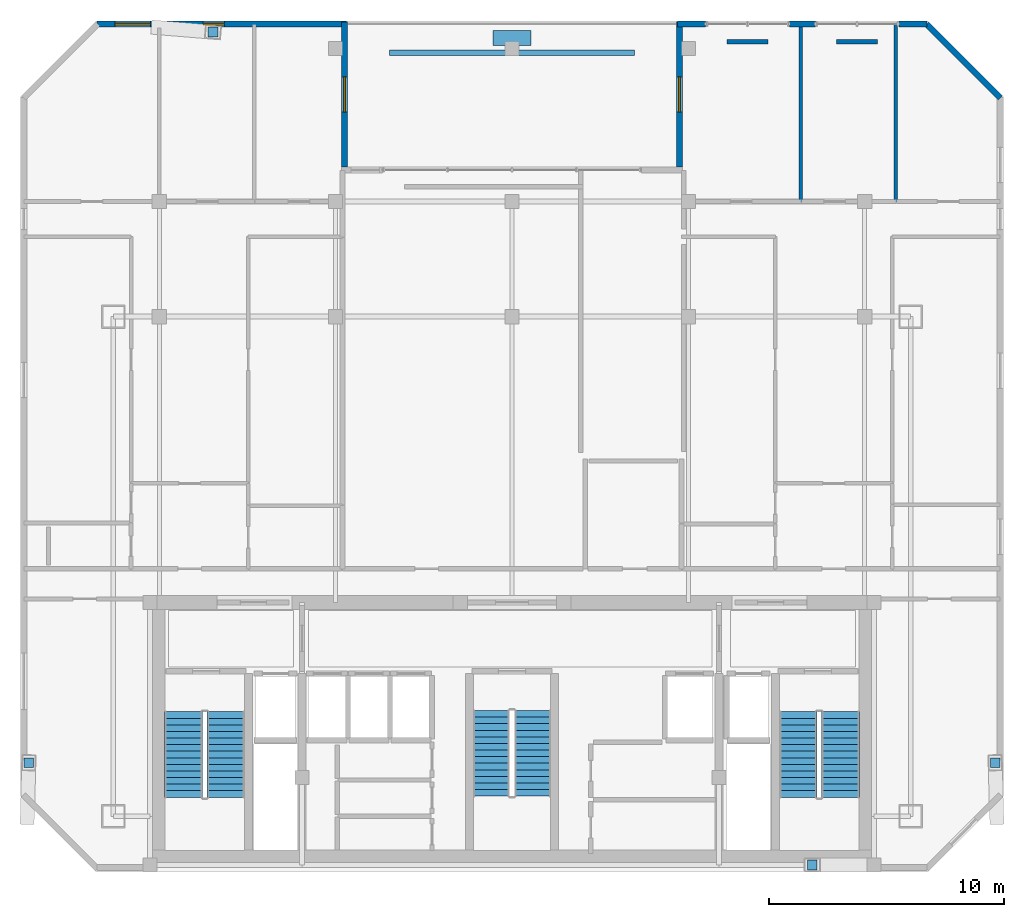
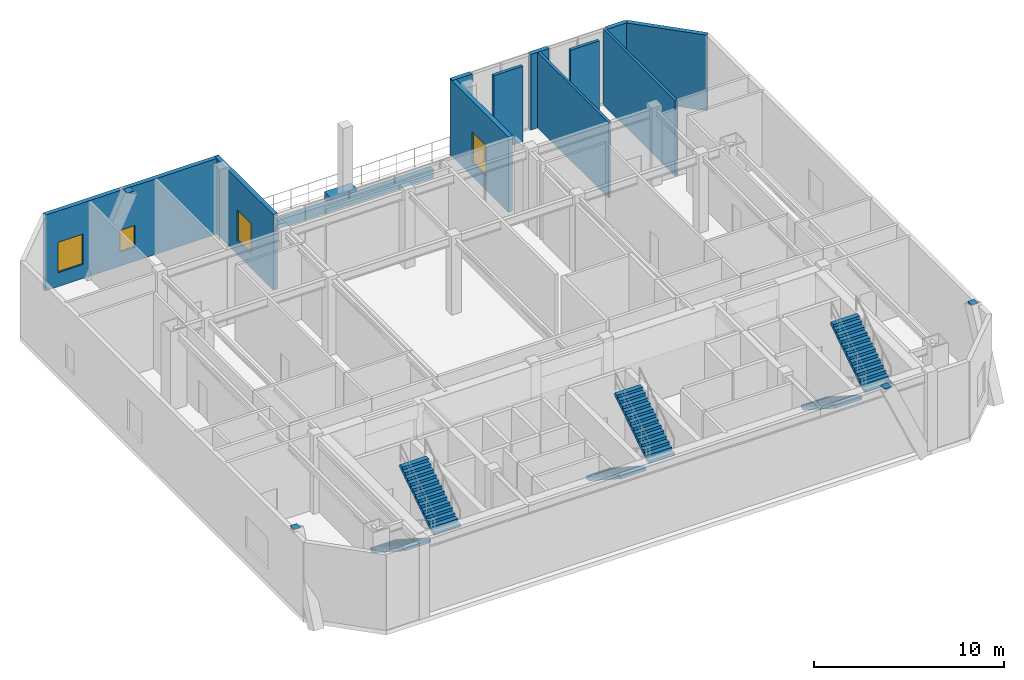
# One storey, part 11 of 12: 12 walls, 6 stair flights, 5 discrete accessories, 4 windows, 4 openings, 3 elements without a shape of their own.
"""IFC4 building model written with IfcOpenShell, lengths in metres."""

from ifc_helpers import new_model, si_unit, direction, frame, frame_2d, origin, origin_2d, place, context, subcontext, project, spatial, polyline, rectangle, outline, extrude, material, layer, layer_set, type_object, element, fill, aggregate, save


model = new_model("IFC4")

# Units and contexts
model_context = context("Model", 3, precision=1e-05, world=origin(), true_north=direction((0.0, 1.0)))
body_context = subcontext(model_context, "Body", "Model", "MODEL_VIEW")
ifc_project = project(units=[si_unit("LENGTHUNIT", "METRE"), si_unit("AREAUNIT", "SQUARE_METRE"), si_unit("VOLUMEUNIT", "CUBIC_METRE"), si_unit("PLANEANGLEUNIT", "RADIAN"), si_unit("MASSUNIT", "GRAM", prefix="KILO")], contexts=[model_context])

# Site, building, storey
site_placement = place(None, origin())
site = spatial("IfcSite", under=ifc_project, at=site_placement, CompositionType="ELEMENT")
building_placement = place(site_placement, origin())
building = spatial("IfcBuilding", under=site, at=building_placement, Name="Ventersveld Concourse Tower", CompositionType="ELEMENT")
storey_placement = place(building_placement, frame((0.0, 0.0, 251.699951171875)))
storey = spatial("IfcBuildingStorey", under=building, at=storey_placement, Name="L62", CompositionType="ELEMENT", Elevation=251.699951171875)

# Walls
ifc_material_1 = material(Name="Fire-rated autoclaved aerated masonry blockwork", Category="masonry")
ifc_layer_1 = layer(ifc_material_1, 0.179931640625)
ifc_layer_set_1 = layer_set([ifc_layer_1], Name="Fire-rated autoclaved aerated masonry blockwork")
wall_type_1 = type_object("IfcWallType", Name="WL-CORR-180", PredefinedType="PARTITIONING", material=ifc_layer_set_1)
for number, where, z_axis, x_axis, name in (
    (1, (37.89306640625, 35.2919921875, 0.0), (0.0, 0.0, 1.0), (1.0, 0.0, 0.0), "L62 Room Enclosure Wall SP-L62-62CE-BR1"),
    (2, (42.55029296875, 35.2919921875, 0.0), (0.0, 0.0, 1.0), (1.0, 0.0, 0.0), "L62 Room Enclosure Wall SP-L62-62CE-BR2"),
):
    element("IfcWall", number, at=place(storey_placement, frame(where, z_axis=z_axis, x_axis=x_axis)), inside=storey, type_object=wall_type_1, Name=name, PredefinedType="PARTITIONING", context=body_context, shape_type="SweptSolid", body=[
        extrude(rectangle(XDim=1.751220703125, YDim=0.179931640625, at=frame_2d((0.87548828125, 0.0))), origin(), (0.0, 0.0, 1.0), 4.85009765625),
    ])
ifc_material_2 = material(Name="Autoclaved aerated masonry blockwork", Category="masonry")
ifc_layer_2 = layer(ifc_material_2, 0.14990234375)
ifc_layer_set_2 = layer_set([ifc_layer_2], Name="Autoclaved aerated masonry blockwork")
wall_type_2 = type_object("IfcWallType", Name="WL-INT-150", PredefinedType="PARTITIONING", material=ifc_layer_set_2)
wall_1_placement = place(storey_placement, frame((41.0302734375, 28.4951171875, 0.0), z_axis=(0.0, 0.0, 1.0), x_axis=(0.0, 1.0, 0.0)))
element("IfcWall", 3, at=wall_1_placement, inside=storey, type_object=wall_type_2, Name="L62 Interior Partition SP-L62-62CE-BR1-SP-L62-62CE-BR2", PredefinedType="PARTITIONING", context=body_context, shape_type="SweptSolid", body=[
    extrude(rectangle(XDim=7.52734375, YDim=0.14990234375, at=frame_2d((3.763671875, 0.0))), origin(), (0.0, 0.0, 1.0), 4.85009765625),
])
wall_2_placement = place(storey_placement, frame((45.071044921875, 28.4951171875, 0.0), z_axis=(0.0, 0.0, 1.0), x_axis=(0.0, 1.0, 0.0)))
element("IfcWall", 4, at=wall_2_placement, inside=storey, type_object=wall_type_2, Name="L62 Interior Partition SP-L62-62CE-BR2-SP-L62-62CE-BR3", PredefinedType="PARTITIONING", context=body_context, shape_type="SweptSolid", body=[
    extrude(rectangle(XDim=7.552978515625, YDim=0.14990234375, at=frame_2d((3.7763671875, 0.0))), origin(), (0.0, 0.0, 1.0), 4.85009765625),
])
ifc_material_3 = material(Name="Precast concrete C45/55", Category="concrete")
ifc_layer_3 = layer(ifc_material_3, 0.239990234375)
ifc_layer_set_3 = layer_set([ifc_layer_3], Name="Precast concrete C45/55")
wall_type_3 = type_object("IfcWallType", Name="WL-KERB-240", PredefinedType="PARAPET", material=ifc_layer_set_3)
wall_3_placement = place(storey_placement, frame((23.550048828125, 34.822021484375, 0.0), z_axis=(0.0, 0.0, 1.0), x_axis=(1.0, 0.0, 0.0)))
element("IfcWall", 5, at=wall_3_placement, inside=storey, type_object=wall_type_3, Name="L62 Landscaped Terrace Planter Kerb SKYGARDEN", PredefinedType="PARAPET", context=body_context, shape_type="SweptSolid", body=[
    extrude(rectangle(XDim=10.39990234375, YDim=0.239990234375, at=frame_2d((5.199951171875, 0.0))), origin(), (0.0, 0.0, 1.0), 0.550048828125),
])
ifc_layer_4 = layer(ifc_material_3, 0.260009765625)
ifc_layer_set_4 = layer_set([ifc_layer_4], Name="Precast concrete C45/55")
wall_type_4 = type_object("IfcWallType", Name="WL-PREC-260", PredefinedType="SOLIDWALL", material=ifc_layer_set_4)
wall_4_placement = place(storey_placement, frame((49.5244140625, 32.908203125, 0.0), z_axis=(0.0, 0.0, 1.0), x_axis=(-0.707106781187, 0.707106781187, 0.0)))
element("IfcWall", 6, at=wall_4_placement, inside=storey, type_object=wall_type_4, Name="L62 Highveld Precast Facade Wall E04", PredefinedType="SOLIDWALL", context=body_context, shape_type="SweptSolid", body=[
    extrude(rectangle(XDim=4.445556640625, YDim=0.260009765625, at=frame_2d((2.22265625, 0.0))), origin(), (0.0, 0.0, 1.0), 4.85009765625),
])
wall_5_placement = place(storey_placement, frame((46.404541015625, 36.0419921875, 0.0), z_axis=(0.0, 0.0, 1.0), x_axis=(-1.0, 0.0, 0.0)))
element("IfcWall", 7, at=wall_5_placement, inside=storey, type_object=wall_type_4, Name="L62 Sky Lobby Outer Pier", PredefinedType="SOLIDWALL", context=body_context, shape_type="SweptSolid", body=[
    extrude(rectangle(XDim=1.199951171875, YDim=0.260009765625, at=frame_2d((0.60009765625, 0.0))), origin(), (0.0, 0.0, 1.0), 4.85009765625),
])
wall_6_placement = place(storey_placement, frame((41.647216796875, 36.0419921875, 0.0), z_axis=(0.0, 0.0, 1.0), x_axis=(-1.0, 0.0, 0.0)))
element("IfcWall", 8, at=wall_6_placement, inside=storey, type_object=wall_type_4, Name="L62 Sky Lobby Mullion Pier", PredefinedType="SOLIDWALL", context=body_context, shape_type="SweptSolid", body=[
    extrude(rectangle(XDim=1.099853515625, YDim=0.260009765625, at=frame_2d((0.5498046875, 0.0))), origin(), (0.0, 0.0, 1.0), 4.85009765625),
])
wall_7_placement = place(storey_placement, frame((36.989990234375, 36.0419921875, 0.0), z_axis=(0.0, 0.0, 1.0), x_axis=(-1.0, 0.0, 0.0)))
element("IfcWall", 9, at=wall_7_placement, inside=storey, type_object=wall_type_4, Name="L62 Sky Lobby Inner Pier", PredefinedType="SOLIDWALL", context=body_context, shape_type="SweptSolid", body=[
    extrude(rectangle(XDim=1.199951171875, YDim=0.260009765625, at=frame_2d((0.60009765625, 0.0))), origin(), (0.0, 0.0, 1.0), 4.85009765625),
])

# Wall, opening, window
wall_8_placement = place(storey_placement, frame((35.8798828125, 36.1318359375, 0.0), z_axis=(0.0, 0.0, 1.0), x_axis=(0.0, -1.0, 0.0)))
wall_8 = element("IfcWall", 10, at=wall_8_placement, inside=storey, type_object=wall_type_4, Name="L62 Highveld Precast Facade Wall E06", PredefinedType="SOLIDWALL", context=body_context, shape_type="SweptSolid", body=[
    extrude(rectangle(XDim=6.159912109375, YDim=0.260009765625, at=frame_2d((3.080078125, 0.0))), origin(), (0.0, 0.0, 1.0), 4.85009765625),
])
opening_1_placement = place(wall_8_placement, frame((2.330078125, 0.0, 0.89990234375)))
opening_1 = element("IfcOpeningElement", 11, at=opening_1_placement, cuts=wall_8, Name="Opening W1", PredefinedType="OPENING", context=body_context, shape_type="SweptSolid", body=[
    extrude(rectangle(XDim=1.5, YDim=1.949951171875, at=frame_2d((0.75, 0.97509765625))), frame((0.0, 0.14013671875, 0.0), z_axis=(0.0, -1.0, 0.0), x_axis=(1.0, 0.0, 0.0)), (0.0, 0.0, 1.0), 0.280029296875),
])
ifc_material_4 = material(Name="Tempered acoustic Low-E IGU", Category="glass")
window_type_1 = type_object("IfcWindowType", Name="WIN-150x210", PartitioningType="SINGLE_PANEL", PredefinedType="WINDOW", material=ifc_material_4)
window_1_placement = place(opening_1_placement, origin())
window_1 = element("IfcWindow", 12, at=window_1_placement, inside=storey, type_object=window_type_1, Name="L62 Punched Low-E Window W-0889", OverallHeight=1.949951171875, OverallWidth=1.5, PartitioningType="SINGLE_PANEL", PredefinedType="WINDOW", context=body_context, shape_type="SweptSolid", body=[
    extrude(rectangle(XDim=1.5, YDim=1.949951171875, at=frame_2d((0.75, 0.97509765625))), frame((0.0, 0.030029296875, 0.0), z_axis=(0.0, -1.0, 0.0), x_axis=(1.0, 0.0, 0.0)), (0.0, 0.0, 1.0), 0.06005859375),
])
fill(opening_1, window_1)

wall_9_placement = place(storey_placement, frame((21.6201171875, 29.971923828125, 0.0), z_axis=(0.0, 0.0, 1.0), x_axis=(0.0, 1.0, 0.0)))
wall_9 = element("IfcWall", 13, at=wall_9_placement, inside=storey, type_object=wall_type_4, Name="L62 Highveld Precast Facade Wall E08", PredefinedType="SOLIDWALL", context=body_context, shape_type="SweptSolid", body=[
    extrude(rectangle(XDim=6.159912109375, YDim=0.260009765625, at=frame_2d((3.080078125, 0.0))), origin(), (0.0, 0.0, 1.0), 4.85009765625),
])
opening_2_placement = place(wall_9_placement, frame((2.330078125, 0.0, 0.89990234375)))
opening_2 = element("IfcOpeningElement", 14, at=opening_2_placement, cuts=wall_9, Name="Opening W1", PredefinedType="OPENING", context=body_context, shape_type="SweptSolid", body=[
    extrude(rectangle(XDim=1.5, YDim=1.949951171875, at=frame_2d((0.75, 0.97509765625))), frame((0.0, 0.14013671875, 0.0), z_axis=(0.0, -1.0, 0.0), x_axis=(1.0, 0.0, 0.0)), (0.0, 0.0, 1.0), 0.280029296875),
])
window_2_placement = place(opening_2_placement, origin())
window_2 = element("IfcWindow", 15, at=window_2_placement, inside=storey, type_object=window_type_1, Name="L62 Punched Low-E Window W-0885", OverallHeight=1.949951171875, OverallWidth=1.5, PartitioningType="SINGLE_PANEL", PredefinedType="WINDOW", context=body_context, shape_type="SweptSolid", body=[
    extrude(rectangle(XDim=1.5, YDim=1.949951171875, at=frame_2d((0.75, 0.97509765625))), frame((0.0, 0.030029296875, 0.0), z_axis=(0.0, -1.0, 0.0), x_axis=(1.0, 0.0, 0.0)), (0.0, 0.0, 1.0), 0.06005859375),
])
fill(opening_2, window_2)

# Wall, openings, windows
wall_10_placement = place(storey_placement, frame((21.7099609375, 36.0419921875, 0.0), z_axis=(0.0, 0.0, 1.0), x_axis=(-1.0, 0.0, 0.0)))
wall_10 = element("IfcWall", 16, at=wall_10_placement, inside=storey, type_object=wall_type_4, Name="L62 Highveld Precast Facade Wall E09", PredefinedType="SOLIDWALL", context=body_context, shape_type="SweptSolid", body=[
    extrude(rectangle(XDim=10.614501953125, YDim=0.260009765625, at=frame_2d((5.30712890625, 0.0))), origin(), (0.0, 0.0, 1.0), 4.85009765625),
])
opening_3_placement = place(wall_10_placement, frame((8.344482421875, 0.0, 0.89990234375)))
opening_3 = element("IfcOpeningElement", 17, at=opening_3_placement, cuts=wall_10, Name="Opening W1", PredefinedType="OPENING", context=body_context, shape_type="SweptSolid", body=[
    extrude(rectangle(XDim=1.5, YDim=1.949951171875, at=frame_2d((0.75, 0.97509765625))), frame((0.0, 0.14013671875, 0.0), z_axis=(0.0, -1.0, 0.0), x_axis=(1.0, 0.0, 0.0)), (0.0, 0.0, 1.0), 0.280029296875),
])
opening_4_placement = place(wall_10_placement, frame((5.1943359375, 0.0, 0.89990234375)))
opening_4 = element("IfcOpeningElement", 18, at=opening_4_placement, cuts=wall_10, Name="Opening W8", PredefinedType="OPENING", context=body_context, shape_type="SweptSolid", body=[
    extrude(rectangle(XDim=0.89990234375, YDim=1.39990234375, at=frame_2d((0.449951171875, 0.699951171875))), frame((0.0, 0.14013671875, 0.0), z_axis=(0.0, -1.0, 0.0), x_axis=(1.0, 0.0, 0.0)), (0.0, 0.0, 1.0), 0.280029296875),
])
window_type_2 = type_object("IfcWindowType", Name="WIN-090x140", PartitioningType="SINGLE_PANEL", PredefinedType="WINDOW", material=ifc_material_4)
window_3_placement = place(opening_4_placement, origin())
window_3 = element("IfcWindow", 19, at=window_3_placement, inside=storey, type_object=window_type_2, Name="L62 Punched Low-E Window W-0884", OverallHeight=1.39990234375, OverallWidth=0.89990234375, PartitioningType="SINGLE_PANEL", PredefinedType="WINDOW", context=body_context, shape_type="SweptSolid", body=[
    extrude(rectangle(XDim=0.89990234375, YDim=1.39990234375, at=frame_2d((0.449951171875, 0.699951171875))), frame((0.0, 0.030029296875, 0.0), z_axis=(0.0, -1.0, 0.0), x_axis=(1.0, 0.0, 0.0)), (0.0, 0.0, 1.0), 0.06005859375),
])
fill(opening_4, window_3)
window_4_placement = place(opening_3_placement, origin())
window_4 = element("IfcWindow", 20, at=window_4_placement, inside=storey, type_object=window_type_1, Name="L62 Punched Low-E Window W-0883", OverallHeight=1.949951171875, OverallWidth=1.5, PartitioningType="SINGLE_PANEL", PredefinedType="WINDOW", context=body_context, shape_type="SweptSolid", body=[
    extrude(rectangle(XDim=1.5, YDim=1.949951171875, at=frame_2d((0.75, 0.97509765625))), frame((0.0, 0.030029296875, 0.0), z_axis=(0.0, -1.0, 0.0), x_axis=(1.0, 0.0, 0.0)), (0.0, 0.0, 1.0), 0.06005859375),
])
fill(opening_3, window_4)

# Stair, stair flights
ifc_material_5 = material(Name="Concrete C50/60", Category="concrete")
stair_type_1 = type_object("IfcStairType", Name="ST-DOG-155", PredefinedType="HALF_TURN_STAIR", material=ifc_material_5)
stair_1_placement = place(storey_placement, origin())
stair_1 = element("IfcStair", 21, at=stair_1_placement, inside=storey, type_object=stair_type_1, Name="L62 Protected Central Core Escape Stair ST-03", PredefinedType="HALF_TURN_STAIR")
stair_flight_type_1 = type_object("IfcStairFlightType", Name="STF-RC-155", PredefinedType="STRAIGHT", material=ifc_material_5)
stair_flight_1_placement = place(storey_placement, frame((27.875, 6.85009765625, 0.0), z_axis=(0.0, 0.0, 1.0), x_axis=(0.0, -1.0, 0.0)))
stair_flight_1 = element("IfcStairFlight", 22, at=stair_flight_1_placement, type_object=stair_flight_type_1, Name="ST-03 flight 1", NumberOfRisers=14, NumberOfTreads=13, PredefinedType="STRAIGHT", RiserHeight=0.180357143, TreadLength=0.28, context=body_context, shape_type="SweptSolid", body=[
    extrude(outline(polyline([(0.0, 0.0), (0.0, 0.180419921875), (0.280029296875, 0.180419921875), (0.280029296875, 0.360595703125), (0.56005859375, 0.360595703125), (0.56005859375, 0.541015625), (0.840087890625, 0.541015625), (0.840087890625, 0.721435546875), (1.1201171875, 0.721435546875), (1.1201171875, 0.90185546875), (1.39990234375, 0.90185546875), (1.39990234375, 1.08203125), (1.679931640625, 1.08203125), (1.679931640625, 1.262451171875), (1.9599609375, 1.262451171875), (1.9599609375, 1.44287109375), (2.239990234375, 1.44287109375), (2.239990234375, 1.623291015625), (2.52001953125, 1.623291015625), (2.52001953125, 1.803466796875), (2.800048828125, 1.803466796875), (2.800048828125, 1.98388671875), (3.080078125, 1.98388671875), (3.080078125, 2.164306640625), (3.360107421875, 2.164306640625), (3.360107421875, 2.3447265625), (3.639892578125, 2.3447265625), (3.639892578125, 2.52490234375), (3.639892578125, 2.166259765625), (0.27685546875, 0.0), (0.0, 0.0)])), frame((0.0, 0.77490234375, 0.0), z_axis=(0.0, -1.0, 0.0), x_axis=(1.0, 0.0, 0.0)), (0.0, 0.0, 1.0), 1.550048828125),
])
stair_flight_2_placement = place(storey_placement, frame((29.625, 3.2099609375, 2.525146484375), z_axis=(0.0, 0.0, 1.0), x_axis=(0.0, 1.0, 0.0)))
stair_flight_2 = element("IfcStairFlight", 23, at=stair_flight_2_placement, type_object=stair_flight_type_1, Name="ST-03 flight 2", NumberOfRisers=14, NumberOfTreads=13, PredefinedType="STRAIGHT", RiserHeight=0.180357143, TreadLength=0.28, context=body_context, shape_type="SweptSolid", body=[
    extrude(outline(polyline([(0.0, 0.0), (0.0, 0.180419921875), (0.280029296875, 0.180419921875), (0.280029296875, 0.360595703125), (0.56005859375, 0.360595703125), (0.56005859375, 0.541015625), (0.840087890625, 0.541015625), (0.840087890625, 0.721435546875), (1.1201171875, 0.721435546875), (1.1201171875, 0.90185546875), (1.39990234375, 0.90185546875), (1.39990234375, 1.08203125), (1.679931640625, 1.08203125), (1.679931640625, 1.262451171875), (1.9599609375, 1.262451171875), (1.9599609375, 1.44287109375), (2.239990234375, 1.44287109375), (2.239990234375, 1.623291015625), (2.52001953125, 1.623291015625), (2.52001953125, 1.803466796875), (2.800048828125, 1.803466796875), (2.800048828125, 1.98388671875), (3.080078125, 1.98388671875), (3.080078125, 2.164306640625), (3.360107421875, 2.164306640625), (3.360107421875, 2.3447265625), (3.639892578125, 2.3447265625), (3.639892578125, 2.52490234375), (3.639892578125, 2.166259765625), (0.27685546875, 0.0), (0.0, 0.0)])), frame((0.0, 0.77490234375, 0.0), z_axis=(0.0, -1.0, 0.0), x_axis=(1.0, 0.0, 0.0)), (0.0, 0.0, 1.0), 1.550048828125),
])
aggregate(stair_1, [stair_flight_1, stair_flight_2])

stair_type_2 = type_object("IfcStairType", Name="ST-DOG-160", PredefinedType="HALF_TURN_STAIR", material=ifc_material_5)
stair_2_placement = place(storey_placement, origin())
stair_2 = element("IfcStair", 24, at=stair_2_placement, inside=storey, type_object=stair_type_2, Name="L62 Protected Tower Escape Stair ST-01", PredefinedType="HALF_TURN_STAIR")
stair_flight_type_2 = type_object("IfcStairFlightType", Name="STF-RC-160", PredefinedType="STRAIGHT", material=ifc_material_5)
stair_flight_3_placement = place(storey_placement, frame((14.780029296875, 6.800048828125, 0.0), z_axis=(0.0, 0.0, 1.0), x_axis=(0.0, -1.0, 0.0)))
stair_flight_3 = element("IfcStairFlight", 25, at=stair_flight_3_placement, type_object=stair_flight_type_2, Name="ST-01 flight 1", NumberOfRisers=14, NumberOfTreads=13, PredefinedType="STRAIGHT", RiserHeight=0.180357143, TreadLength=0.28, context=body_context, shape_type="SweptSolid", body=[
    extrude(outline(polyline([(0.0, 0.0), (0.0, 0.180419921875), (0.280029296875, 0.180419921875), (0.280029296875, 0.360595703125), (0.56005859375, 0.360595703125), (0.56005859375, 0.541015625), (0.840087890625, 0.541015625), (0.840087890625, 0.721435546875), (1.1201171875, 0.721435546875), (1.1201171875, 0.90185546875), (1.39990234375, 0.90185546875), (1.39990234375, 1.08203125), (1.679931640625, 1.08203125), (1.679931640625, 1.262451171875), (1.9599609375, 1.262451171875), (1.9599609375, 1.44287109375), (2.239990234375, 1.44287109375), (2.239990234375, 1.623291015625), (2.52001953125, 1.623291015625), (2.52001953125, 1.803466796875), (2.800048828125, 1.803466796875), (2.800048828125, 1.98388671875), (3.080078125, 1.98388671875), (3.080078125, 2.164306640625), (3.360107421875, 2.164306640625), (3.360107421875, 2.3447265625), (3.639892578125, 2.3447265625), (3.639892578125, 2.52490234375), (3.639892578125, 2.166259765625), (0.27685546875, 0.0), (0.0, 0.0)])), frame((0.0, 0.800048828125, 0.0), z_axis=(0.0, -1.0, 0.0), x_axis=(1.0, 0.0, 0.0)), (0.0, 0.0, 1.0), 1.60009765625),
])
stair_flight_4_placement = place(storey_placement, frame((16.580078125, 3.159912109375, 2.525146484375), z_axis=(0.0, 0.0, 1.0), x_axis=(0.0, 1.0, 0.0)))
stair_flight_4 = element("IfcStairFlight", 26, at=stair_flight_4_placement, type_object=stair_flight_type_2, Name="ST-01 flight 2", NumberOfRisers=14, NumberOfTreads=13, PredefinedType="STRAIGHT", RiserHeight=0.180357143, TreadLength=0.28, context=body_context, shape_type="SweptSolid", body=[
    extrude(outline(polyline([(0.0, 0.0), (0.0, 0.180419921875), (0.280029296875, 0.180419921875), (0.280029296875, 0.360595703125), (0.56005859375, 0.360595703125), (0.56005859375, 0.541015625), (0.840087890625, 0.541015625), (0.840087890625, 0.721435546875), (1.1201171875, 0.721435546875), (1.1201171875, 0.90185546875), (1.39990234375, 0.90185546875), (1.39990234375, 1.08203125), (1.679931640625, 1.08203125), (1.679931640625, 1.262451171875), (1.9599609375, 1.262451171875), (1.9599609375, 1.44287109375), (2.239990234375, 1.44287109375), (2.239990234375, 1.623291015625), (2.52001953125, 1.623291015625), (2.52001953125, 1.803466796875), (2.800048828125, 1.803466796875), (2.800048828125, 1.98388671875), (3.080078125, 1.98388671875), (3.080078125, 2.164306640625), (3.360107421875, 2.164306640625), (3.360107421875, 2.3447265625), (3.639892578125, 2.3447265625), (3.639892578125, 2.52490234375), (3.639892578125, 2.166259765625), (0.27685546875, 0.0), (0.0, 0.0)])), frame((0.0, 0.800048828125, 0.0), z_axis=(0.0, -1.0, 0.0), x_axis=(1.0, 0.0, 0.0)), (0.0, 0.0, 1.0), 1.60009765625),
])
aggregate(stair_2, [stair_flight_3, stair_flight_4])

stair_3_placement = place(storey_placement, origin())
stair_3 = element("IfcStair", 27, at=stair_3_placement, inside=storey, type_object=stair_type_2, Name="L62 Protected Tower Escape Stair ST-02", PredefinedType="HALF_TURN_STAIR")
stair_flight_5_placement = place(storey_placement, frame((40.919921875, 6.800048828125, 0.0), z_axis=(0.0, 0.0, 1.0), x_axis=(0.0, -1.0, 0.0)))
stair_flight_5 = element("IfcStairFlight", 28, at=stair_flight_5_placement, type_object=stair_flight_type_2, Name="ST-02 flight 1", NumberOfRisers=14, NumberOfTreads=13, PredefinedType="STRAIGHT", RiserHeight=0.180357143, TreadLength=0.28, context=body_context, shape_type="SweptSolid", body=[
    extrude(outline(polyline([(0.0, 0.0), (0.0, 0.180419921875), (0.280029296875, 0.180419921875), (0.280029296875, 0.360595703125), (0.56005859375, 0.360595703125), (0.56005859375, 0.541015625), (0.840087890625, 0.541015625), (0.840087890625, 0.721435546875), (1.1201171875, 0.721435546875), (1.1201171875, 0.90185546875), (1.39990234375, 0.90185546875), (1.39990234375, 1.08203125), (1.679931640625, 1.08203125), (1.679931640625, 1.262451171875), (1.9599609375, 1.262451171875), (1.9599609375, 1.44287109375), (2.239990234375, 1.44287109375), (2.239990234375, 1.623291015625), (2.52001953125, 1.623291015625), (2.52001953125, 1.803466796875), (2.800048828125, 1.803466796875), (2.800048828125, 1.98388671875), (3.080078125, 1.98388671875), (3.080078125, 2.164306640625), (3.360107421875, 2.164306640625), (3.360107421875, 2.3447265625), (3.639892578125, 2.3447265625), (3.639892578125, 2.52490234375), (3.639892578125, 2.166259765625), (0.27685546875, 0.0), (0.0, 0.0)])), frame((0.0, 0.800048828125, 0.0), z_axis=(0.0, -1.0, 0.0), x_axis=(1.0, 0.0, 0.0)), (0.0, 0.0, 1.0), 1.60009765625),
])
stair_flight_6_placement = place(storey_placement, frame((42.719970703125, 3.159912109375, 2.525146484375), z_axis=(0.0, 0.0, 1.0), x_axis=(0.0, 1.0, 0.0)))
stair_flight_6 = element("IfcStairFlight", 29, at=stair_flight_6_placement, type_object=stair_flight_type_2, Name="ST-02 flight 2", NumberOfRisers=14, NumberOfTreads=13, PredefinedType="STRAIGHT", RiserHeight=0.180357143, TreadLength=0.28, context=body_context, shape_type="SweptSolid", body=[
    extrude(outline(polyline([(0.0, 0.0), (0.0, 0.180419921875), (0.280029296875, 0.180419921875), (0.280029296875, 0.360595703125), (0.56005859375, 0.360595703125), (0.56005859375, 0.541015625), (0.840087890625, 0.541015625), (0.840087890625, 0.721435546875), (1.1201171875, 0.721435546875), (1.1201171875, 0.90185546875), (1.39990234375, 0.90185546875), (1.39990234375, 1.08203125), (1.679931640625, 1.08203125), (1.679931640625, 1.262451171875), (1.9599609375, 1.262451171875), (1.9599609375, 1.44287109375), (2.239990234375, 1.44287109375), (2.239990234375, 1.623291015625), (2.52001953125, 1.623291015625), (2.52001953125, 1.803466796875), (2.800048828125, 1.803466796875), (2.800048828125, 1.98388671875), (3.080078125, 1.98388671875), (3.080078125, 2.164306640625), (3.360107421875, 2.164306640625), (3.360107421875, 2.3447265625), (3.639892578125, 2.3447265625), (3.639892578125, 2.52490234375), (3.639892578125, 2.166259765625), (0.27685546875, 0.0), (0.0, 0.0)])), frame((0.0, 0.800048828125, 0.0), z_axis=(0.0, -1.0, 0.0), x_axis=(1.0, 0.0, 0.0)), (0.0, 0.0, 1.0), 1.60009765625),
])
aggregate(stair_3, [stair_flight_5, stair_flight_6])

# Discrete accessories
ifc_material_6 = material(Name="Structural steel S355J2", Category="steel")
discrete_accessory_type_1 = type_object("IfcDiscreteAccessoryType", Name="CONN-BRACE-ECP1", PredefinedType="BRACKET", material=ifc_material_6)
for number, where, z_axis, x_axis, name in (
    (30, (16.031494140625, 35.7041015625, 4.830078125), (0.0, 0.0, 1.0), (1.0, 0.0, 0.0), "L62 Steel Brace End Connection Plate ECP1-0436"),
    (31, (41.518310546875, 0.280029296875, 4.830078125), (0.0, 0.0, 1.0), (1.0, 0.0, 0.0), "L62 Steel Brace End Connection Plate ECP1-0440"),
    (32, (8.200439453125, 4.631591796875, 4.830078125), (0.0, 0.0, 1.0), (1.0, 0.0, 0.0), "L62 Steel Brace End Connection Plate ECP1-0444"),
    (33, (49.299560546875, 4.631591796875, 4.830078125), (0.0, 0.0, 1.0), (1.0, 0.0, 0.0), "L62 Steel Brace End Connection Plate ECP1-0448"),
):
    element("IfcDiscreteAccessory", number, at=place(storey_placement, frame(where, z_axis=z_axis, x_axis=x_axis)), inside=storey, type_object=discrete_accessory_type_1, Name=name, PredefinedType="BRACKET", context=body_context, shape_type="SweptSolid", body=[
        extrude(rectangle(XDim=0.419921875, YDim=0.419921875, at=origin_2d()), origin(), (0.0, 0.0, 1.0), 0.0400390625),
    ])
discrete_accessory_type_2 = type_object("IfcDiscreteAccessoryType", Name="PLN-TERR-180", PredefinedType="USERDEFINED", material=ifc_material_3)
discrete_accessory_placement = place(storey_placement, frame((28.75, 35.451904296875, 0.0), z_axis=(0.0, 0.0, 1.0), x_axis=(1.0, 0.0, 0.0)))
element("IfcDiscreteAccessory", 34, at=discrete_accessory_placement, inside=storey, type_object=discrete_accessory_type_2, Name="L62 Planted Precast Terrace Planter Box SKYGARDEN", ObjectType="PLANTER", PredefinedType="USERDEFINED", context=body_context, shape_type="SweptSolid", body=[
    extrude(rectangle(XDim=1.60009765625, YDim=0.64990234375, at=origin_2d()), origin(), (0.0, 0.0, 1.0), 0.550048828125),
])

save(model, "model.ifc")
